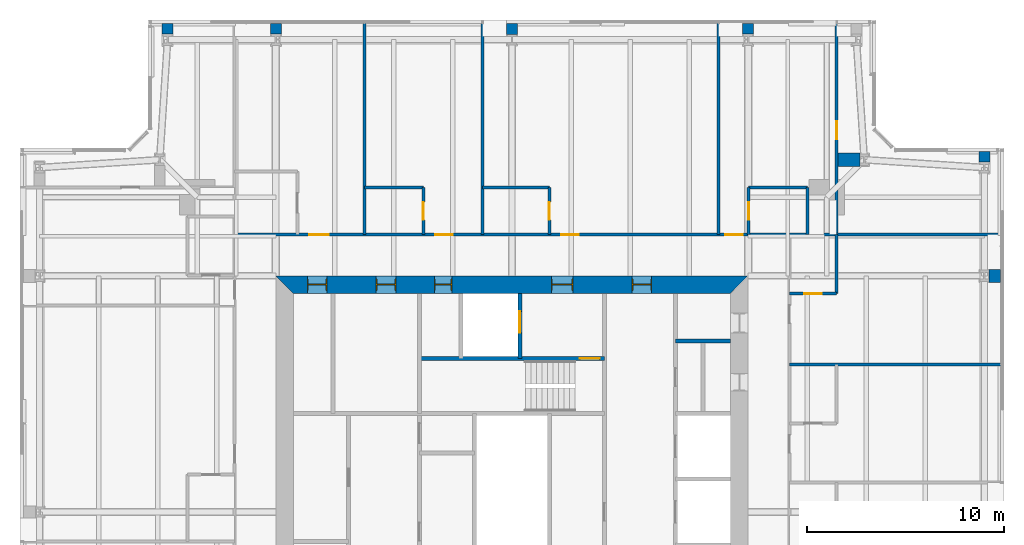
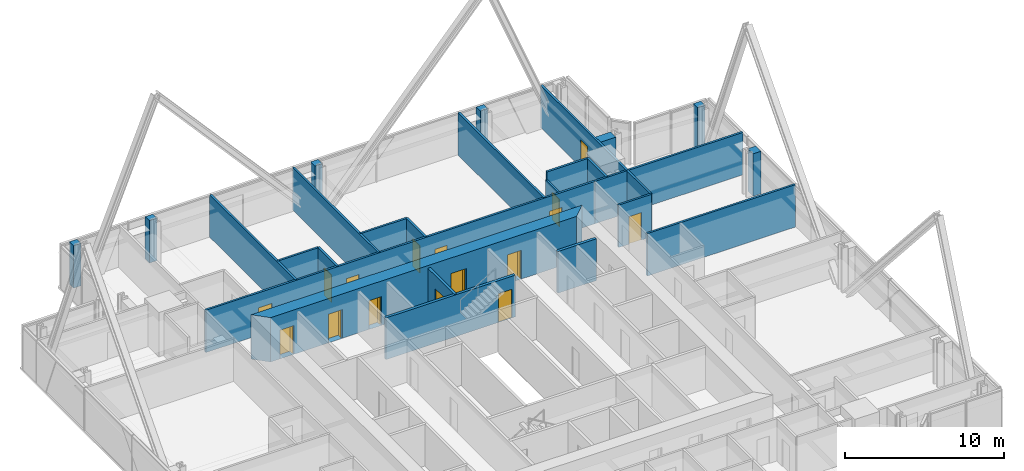
# One storey, part 14 of 20: 27 walls, 16 doors, 16 openings.
"""IFC4 building model written with IfcOpenShell, lengths in metres."""

from ifc_helpers import new_model, si_unit, direction, frame, frame_2d, origin, place, context, subcontext, project, spatial, polyline, rectangle, outline, extrude, material, layer, layer_set, type_object, element, fill, save


model = new_model("IFC4")

# Units and contexts
model_context = context("Model", 3, precision=1e-05, world=origin(), true_north=direction((0.0, 1.0)))
body_context = subcontext(model_context, "Body", "Model", "MODEL_VIEW")
ifc_project = project(units=[si_unit("LENGTHUNIT", "METRE"), si_unit("AREAUNIT", "SQUARE_METRE"), si_unit("VOLUMEUNIT", "CUBIC_METRE"), si_unit("PLANEANGLEUNIT", "RADIAN"), si_unit("MASSUNIT", "GRAM", prefix="KILO")], contexts=[model_context])

# Site, building, storey
site_placement = place(None, origin())
site = spatial("IfcSite", under=ifc_project, at=site_placement, CompositionType="ELEMENT")
building_placement = place(site_placement, origin())
building = spatial("IfcBuilding", under=site, at=building_placement, Name="Fenwick Lantern Interchange", CompositionType="ELEMENT")
storey_placement = place(building_placement, frame((0.0, 0.0, 256.0)))
storey = spatial("IfcBuildingStorey", under=building, at=storey_placement, Name="L60", CompositionType="ELEMENT", Elevation=256.0)

# Walls
ifc_material_1 = material(Name="Fire-rated gypsum board encasement on steel studs, 2 hour", Category="steel")
ifc_layer_1 = layer(ifc_material_1, 0.5419921875)
ifc_layer_set_1 = layer_set([ifc_layer_1], Name="COLUMN PIER 542")
wall_type_1 = type_object("IfcWallType", Name="COLUMN PIER 542", PredefinedType="PARTITIONING", material=ifc_layer_set_1)
wall_1_placement = place(storey_placement, frame((25.0, 49.81005859375, 0.0), z_axis=(0.0, 0.0, 1.0), x_axis=(0.0, -1.0, 0.0)))
element("IfcWall", 1, at=wall_1_placement, inside=storey, type_object=wall_type_1, Name="L60/W/PIER/CN3", PredefinedType="PARTITIONING", context=body_context, shape_type="SweptSolid", body=[
    extrude(rectangle(XDim=0.544677734375, YDim=0.5419921875, at=frame_2d((0.2724609375, 0.0))), origin(), (0.0, 0.0, 1.0), 3.25),
])
ifc_layer_2 = layer(ifc_material_1, 0.554931640625)
ifc_layer_set_2 = layer_set([ifc_layer_2], Name="COLUMN PIER 555")
wall_type_2 = type_object("IfcWallType", Name="COLUMN PIER 555", PredefinedType="PARTITIONING", material=ifc_layer_set_2)
for number, where, z_axis, x_axis, name in (
    (2, (49.0, 43.31005859375, 0.0), (0.0, 0.0, 1.0), (0.0, -1.0, 0.0), "L60/W/PIER/CE5"),
    (3, (37.0, 49.81005859375, 0.0), (0.0, 0.0, 1.0), (0.0, -1.0, 0.0), "L60/W/PIER/CN2"),
    (4, (13.0, 49.81005859375, 0.0), (0.0, 0.0, 1.0), (0.0, -1.0, 0.0), "L60/W/PIER/CN4"),
    (5, (7.5, 49.81005859375, 0.0), (0.0, 0.0, 1.0), (0.0, -1.0, 0.0), "L60/W/PIER/CN5"),
):
    element("IfcWall", number, at=place(storey_placement, frame(where, z_axis=z_axis, x_axis=x_axis)), inside=storey, type_object=wall_type_2, Name=name, PredefinedType="PARTITIONING", context=body_context, shape_type="SweptSolid", body=[
        extrude(rectangle(XDim=0.525634765625, YDim=0.554931640625, at=frame_2d((0.2626953125, 0.0))), origin(), (0.0, 0.0, 1.0), 3.25),
    ])
ifc_layer_3 = layer(ifc_material_1, 0.6689453125)
ifc_layer_set_3 = layer_set([ifc_layer_3], Name="COLUMN PIER 669")
wall_type_3 = type_object("IfcWallType", Name="COLUMN PIER 669", PredefinedType="PARTITIONING", material=ifc_layer_set_3)
wall_2_placement = place(storey_placement, frame((49.81005859375, 37.0, 0.0), z_axis=(0.0, 0.0, 1.0), x_axis=(-1.0, 0.0, 0.0)))
element("IfcWall", 6, at=wall_2_placement, inside=storey, type_object=wall_type_3, Name="L60/W/PIER/CE4", PredefinedType="PARTITIONING", context=body_context, shape_type="SweptSolid", body=[
    extrude(rectangle(XDim=0.582763671875, YDim=0.6689453125, at=frame_2d((0.29150390625, 0.0))), origin(), (0.0, 0.0, 1.0), 3.25),
])
wall_3_placement = place(storey_placement, frame((41.574951171875, 42.89990234375, 0.0), z_axis=(0.0, 0.0, 1.0), x_axis=(1.0, 0.0, 0.0)))
element("IfcWall", 7, at=wall_3_placement, inside=storey, type_object=wall_type_3, Name="L60/W/PIER/CER", PredefinedType="PARTITIONING", context=body_context, shape_type="SweptSolid", body=[
    extrude(rectangle(XDim=1.09765625, YDim=0.6689453125, at=frame_2d((0.548828125, 0.0))), origin(), (0.0, 0.0, 1.0), 3.25),
])

# Wall, opening, door
ifc_material_2 = material(Name="Concrete masonry ASTM C90 Grade N", Category="masonry")
ifc_layer_4 = layer(ifc_material_2, 0.199951171875)
ifc_layer_set_4 = layer_set([ifc_layer_4], Name="Concrete masonry ASTM C90 Grade N")
wall_type_4 = type_object("IfcWallType", Name="CORE PARTITION 200", PredefinedType="PARTITIONING", material=ifc_layer_set_4)
wall_4_placement = place(storey_placement, frame((25.39990234375, 36.10009765625, 0.0), z_axis=(0.0, 0.0, 1.0), x_axis=(0.0, -1.0, 0.0)))
wall_4 = element("IfcWall", 8, at=wall_4_placement, inside=storey, type_object=wall_type_4, Name="L60/W/COREN/h1", PredefinedType="PARTITIONING", context=body_context, shape_type="SweptSolid", body=[
    extrude(rectangle(XDim=3.300048828125, YDim=0.199951171875, at=frame_2d((1.64990234375, 0.0))), origin(), (0.0, 0.0, 1.0), 3.199951171875),
])
opening_1_placement = place(wall_4_placement, frame((0.89990234375, 0.0, 0.0)))
opening_1 = element("IfcOpeningElement", 9, at=opening_1_placement, cuts=wall_4, Name="Opening LD-FL2", PredefinedType="OPENING", context=body_context, shape_type="SweptSolid", body=[
    extrude(rectangle(XDim=1.10009765625, YDim=2.199951171875, at=frame_2d((0.550048828125, 1.10009765625))), frame((0.0, 0.10986328125, 0.0), z_axis=(0.0, -1.0, 0.0), x_axis=(1.0, 0.0, 0.0)), (0.0, 0.0, 1.0), 0.219970703125),
])
ifc_material_3 = material(Name="Steel door and frame", Category="steel")
door_type_1 = type_object("IfcDoorType", Name="LIFT LANDING DOOR 1100 X 2200", OperationType="DOUBLE_DOOR_SLIDING", PredefinedType="DOOR", material=ifc_material_3)
door_1_placement = place(opening_1_placement, origin())
door_1 = element("IfcDoor", 10, at=door_1_placement, inside=storey, type_object=door_type_1, Name="Lift landing door FL2", OperationType="DOUBLE_DOOR_SLIDING", OverallHeight=2.199951171875, OverallWidth=1.10009765625, PredefinedType="DOOR", context=body_context, shape_type="SweptSolid", body=[
    extrude(rectangle(XDim=1.10009765625, YDim=2.199951171875, at=frame_2d((0.550048828125, 1.10009765625))), frame((0.0, 0.02490234375, 0.0), z_axis=(0.0, -1.0, 0.0), x_axis=(1.0, 0.0, 0.0)), (0.0, 0.0, 1.0), 0.050048828125),
])
fill(opening_1, door_1)

# Wall
wall_5_placement = place(storey_placement, frame((36.10009765625, 33.699951171875, 0.0), z_axis=(0.0, 0.0, 1.0), x_axis=(-1.0, 0.0, 0.0)))
element("IfcWall", 11, at=wall_5_placement, inside=storey, type_object=wall_type_4, Name="L60/W/COREN/p1", PredefinedType="PARTITIONING", context=body_context, shape_type="SweptSolid", body=[
    extrude(rectangle(XDim=2.800048828125, YDim=0.199951171875, at=frame_2d((1.39990234375, 0.0))), origin(), (0.0, 0.0, 1.0), 3.199951171875),
])

# Wall, openings, doors
ifc_material_4 = material(Name="Concrete f'c 70 MPa", Category="concrete")
ifc_layer_5 = layer(ifc_material_4, 0.89990234375)
ifc_layer_set_5 = layer_set([ifc_layer_5], Name="CORE WALL 900")
wall_type_5 = type_object("IfcWallType", Name="CORE WALL 900", PredefinedType="SHEAR", material=ifc_layer_set_5)
wall_6_placement = place(storey_placement, frame((37.0, 36.550048828125, 0.0), z_axis=(0.0, 0.0, 1.0), x_axis=(-1.0, 0.0, 0.0)))
wall_6 = element("IfcWall", 12, at=wall_6_placement, inside=storey, type_object=wall_type_5, Name="L60/CORE/N", PredefinedType="SHEAR", context=body_context, shape_type="SweptSolid", body=[
    extrude(outline(polyline([(0.0, -0.449951171875), (24.0, -0.449951171875), (23.10009765625, 0.449951171875), (0.89990234375, 0.449951171875), (0.0, -0.449951171875)])), origin(), (0.0, 0.0, 1.0), 3.39990234375),
])
opening_2_placement = place(wall_6_placement, frame((4.89990234375, 0.0, 0.0)))
opening_2 = element("IfcOpeningElement", 13, at=opening_2_placement, cuts=wall_6, Name="Opening L60-D013", PredefinedType="OPENING", context=body_context, shape_type="SweptSolid", body=[
    extrude(rectangle(XDim=1.0, YDim=2.199951171875, at=frame_2d((0.5, 1.10009765625))), frame((0.0, 0.4599609375, 0.0), z_axis=(0.0, -1.0, 0.0), x_axis=(1.0, 0.0, 0.0)), (0.0, 0.0, 1.0), 0.919921875),
])
opening_3_placement = place(wall_6_placement, frame((8.89990234375, 0.0, 0.0)))
opening_3 = element("IfcOpeningElement", 14, at=opening_3_placement, cuts=wall_6, Name="Opening L60-D014", PredefinedType="OPENING", context=body_context, shape_type="SweptSolid", body=[
    extrude(rectangle(XDim=1.10009765625, YDim=2.199951171875, at=frame_2d((0.550048828125, 1.10009765625))), frame((0.0, 0.4599609375, 0.0), z_axis=(0.0, -1.0, 0.0), x_axis=(1.0, 0.0, 0.0)), (0.0, 0.0, 1.0), 0.919921875),
])
opening_4_placement = place(wall_6_placement, frame((15.050048828125, 0.0, 0.0)))
opening_4 = element("IfcOpeningElement", 15, at=opening_4_placement, cuts=wall_6, Name="Opening L60-D016", PredefinedType="OPENING", context=body_context, shape_type="SweptSolid", body=[
    extrude(rectangle(XDim=0.89990234375, YDim=2.199951171875, at=frame_2d((0.449951171875, 1.10009765625))), frame((0.0, 0.4599609375, 0.0), z_axis=(0.0, -1.0, 0.0), x_axis=(1.0, 0.0, 0.0)), (0.0, 0.0, 1.0), 0.919921875),
])
opening_5_placement = place(wall_6_placement, frame((17.89990234375, 0.0, 0.0)))
opening_5 = element("IfcOpeningElement", 16, at=opening_5_placement, cuts=wall_6, Name="Opening L60-D017", PredefinedType="OPENING", context=body_context, shape_type="SweptSolid", body=[
    extrude(rectangle(XDim=1.0, YDim=2.199951171875, at=frame_2d((0.5, 1.10009765625))), frame((0.0, 0.4599609375, 0.0), z_axis=(0.0, -1.0, 0.0), x_axis=(1.0, 0.0, 0.0)), (0.0, 0.0, 1.0), 0.919921875),
])
opening_6_placement = place(wall_6_placement, frame((21.39990234375, 0.0, 0.0)))
opening_6 = element("IfcOpeningElement", 17, at=opening_6_placement, cuts=wall_6, Name="Opening L60-D018", PredefinedType="OPENING", context=body_context, shape_type="SweptSolid", body=[
    extrude(rectangle(XDim=1.0, YDim=2.199951171875, at=frame_2d((0.5, 1.10009765625))), frame((0.0, 0.4599609375, 0.0), z_axis=(0.0, -1.0, 0.0), x_axis=(1.0, 0.0, 0.0)), (0.0, 0.0, 1.0), 0.919921875),
])
door_type_2 = type_object("IfcDoorType", Name="CORE LOBBY DOOR 1000 X 2200", OperationType="SINGLE_SWING_LEFT", PredefinedType="DOOR", material=ifc_material_3)
door_2_placement = place(opening_2_placement, origin())
door_2 = element("IfcDoor", 18, at=door_2_placement, inside=storey, type_object=door_type_2, Name="Core lobby door", OperationType="SINGLE_SWING_LEFT", OverallHeight=2.199951171875, OverallWidth=1.0, PredefinedType="DOOR", context=body_context, shape_type="SweptSolid", body=[
    extrude(rectangle(XDim=1.0, YDim=2.199951171875, at=frame_2d((0.5, 1.10009765625))), frame((0.0, 0.02490234375, 0.0), z_axis=(0.0, -1.0, 0.0), x_axis=(1.0, 0.0, 0.0)), (0.0, 0.0, 1.0), 0.050048828125),
    extrude(outline(polyline([(0.0, 0.0), (0.0400390625, 0.0), (0.0400390625, 2.159912109375), (0.9599609375, 2.159912109375), (0.9599609375, 0.0), (1.0, 0.0), (1.0, 2.199951171875), (0.0, 2.199951171875), (0.0, 0.0)])), frame((0.0, 0.300048828125, 0.0), z_axis=(0.0, -1.0, 0.0), x_axis=(1.0, 0.0, 0.0)), (0.0, 0.0, 1.0), 0.60009765625),
])
fill(opening_2, door_2)
door_type_3 = type_object("IfcDoorType", Name="FIRE LOBBY DOOR 1100 X 2200", OperationType="SINGLE_SWING_LEFT", PredefinedType="DOOR", material=ifc_material_3)
door_3_placement = place(opening_3_placement, origin())
door_3 = element("IfcDoor", 19, at=door_3_placement, inside=storey, type_object=door_type_3, Name="Fire lobby door", OperationType="SINGLE_SWING_LEFT", OverallHeight=2.199951171875, OverallWidth=1.10009765625, PredefinedType="DOOR", context=body_context, shape_type="SweptSolid", body=[
    extrude(rectangle(XDim=1.10009765625, YDim=2.199951171875, at=frame_2d((0.550048828125, 1.10009765625))), frame((0.0, 0.02490234375, 0.0), z_axis=(0.0, -1.0, 0.0), x_axis=(1.0, 0.0, 0.0)), (0.0, 0.0, 1.0), 0.050048828125),
    extrude(outline(polyline([(0.0, 0.0), (0.0400390625, 0.0), (0.0400390625, 2.159912109375), (1.06005859375, 2.159912109375), (1.06005859375, 0.0), (1.10009765625, 0.0), (1.10009765625, 2.199951171875), (0.0, 2.199951171875), (0.0, 0.0)])), frame((0.0, 0.300048828125, 0.0), z_axis=(0.0, -1.0, 0.0), x_axis=(1.0, 0.0, 0.0)), (0.0, 0.0, 1.0), 0.60009765625),
])
fill(opening_3, door_3)
door_type_4 = type_object("IfcDoorType", Name="SERVICE DOOR 900 X 2200", OperationType="SINGLE_SWING_LEFT", PredefinedType="DOOR", material=ifc_material_3)
door_4_placement = place(opening_4_placement, origin())
door_4 = element("IfcDoor", 20, at=door_4_placement, inside=storey, type_object=door_type_4, Name="Service door", OperationType="SINGLE_SWING_LEFT", OverallHeight=2.199951171875, OverallWidth=0.89990234375, PredefinedType="DOOR", context=body_context, shape_type="SweptSolid", body=[
    extrude(rectangle(XDim=0.89990234375, YDim=2.199951171875, at=frame_2d((0.449951171875, 1.10009765625))), frame((0.0, 0.02490234375, 0.0), z_axis=(0.0, -1.0, 0.0), x_axis=(1.0, 0.0, 0.0)), (0.0, 0.0, 1.0), 0.050048828125),
    extrude(outline(polyline([(0.0, 0.0), (0.0400390625, 0.0), (0.0400390625, 2.159912109375), (0.85986328125, 2.159912109375), (0.85986328125, 0.0), (0.89990234375, 0.0), (0.89990234375, 2.199951171875), (0.0, 2.199951171875), (0.0, 0.0)])), frame((0.0, 0.300048828125, 0.0), z_axis=(0.0, -1.0, 0.0), x_axis=(1.0, 0.0, 0.0)), (0.0, 0.0, 1.0), 0.60009765625),
])
fill(opening_4, door_4)
ifc_material_5 = material(Name="Hardwood door and steel frame", Category="steel")
door_type_5 = type_object("IfcDoorType", Name="WC DOOR 1000 X 2200", OperationType="SINGLE_SWING_LEFT", PredefinedType="DOOR", material=ifc_material_5)
door_5_placement = place(opening_5_placement, origin())
door_5 = element("IfcDoor", 21, at=door_5_placement, inside=storey, type_object=door_type_5, Name="Wc door", OperationType="SINGLE_SWING_LEFT", OverallHeight=2.199951171875, OverallWidth=1.0, PredefinedType="DOOR", context=body_context, shape_type="SweptSolid", body=[
    extrude(rectangle(XDim=1.0, YDim=2.199951171875, at=frame_2d((0.5, 1.10009765625))), frame((0.0, 0.02490234375, 0.0), z_axis=(0.0, -1.0, 0.0), x_axis=(1.0, 0.0, 0.0)), (0.0, 0.0, 1.0), 0.050048828125),
    extrude(outline(polyline([(0.0, 0.0), (0.0400390625, 0.0), (0.0400390625, 2.159912109375), (0.9599609375, 2.159912109375), (0.9599609375, 0.0), (1.0, 0.0), (1.0, 2.199951171875), (0.0, 2.199951171875), (0.0, 0.0)])), frame((0.0, 0.300048828125, 0.0), z_axis=(0.0, -1.0, 0.0), x_axis=(1.0, 0.0, 0.0)), (0.0, 0.0, 1.0), 0.60009765625),
])
fill(opening_5, door_5)
door_6_placement = place(opening_6_placement, origin())
door_6 = element("IfcDoor", 22, at=door_6_placement, inside=storey, type_object=door_type_5, Name="Wc door", OperationType="SINGLE_SWING_LEFT", OverallHeight=2.199951171875, OverallWidth=1.0, PredefinedType="DOOR", context=body_context, shape_type="SweptSolid", body=[
    extrude(rectangle(XDim=1.0, YDim=2.199951171875, at=frame_2d((0.5, 1.10009765625))), frame((0.0, 0.02490234375, 0.0), z_axis=(0.0, -1.0, 0.0), x_axis=(1.0, 0.0, 0.0)), (0.0, 0.0, 1.0), 0.050048828125),
    extrude(outline(polyline([(0.0, 0.0), (0.0400390625, 0.0), (0.0400390625, 2.159912109375), (0.9599609375, 2.159912109375), (0.9599609375, 0.0), (1.0, 0.0), (1.0, 2.199951171875), (0.0, 2.199951171875), (0.0, 0.0)])), frame((0.0, 0.300048828125, 0.0), z_axis=(0.0, -1.0, 0.0), x_axis=(1.0, 0.0, 0.0)), (0.0, 0.0, 1.0), 0.60009765625),
])
fill(opening_6, door_6)

ifc_material_6 = material(Name="Gypsum board on steel studs, 1 hour", Category="steel")
ifc_layer_6 = layer(ifc_material_6, 0.14990234375)
ifc_layer_set_6 = layer_set([ifc_layer_6], Name="CORRIDOR WALL 150")
wall_type_6 = type_object("IfcWallType", Name="CORRIDOR WALL 150", PredefinedType="PARTITIONING", material=ifc_layer_set_6)
wall_7_placement = place(storey_placement, frame((39.10009765625, 39.10009765625, 0.0), z_axis=(0.0, 0.0, 1.0), x_axis=(-1.0, 0.0, 0.0)))
wall_7 = element("IfcWall", 23, at=wall_7_placement, inside=storey, type_object=wall_type_6, Name="L60/W/HOTEL/N/CW", PredefinedType="PARTITIONING", context=body_context, shape_type="SweptSolid", body=[
    extrude(rectangle(XDim=28.2001953125, YDim=0.14990234375, at=frame_2d((14.10009765625, 0.0))), origin(), (0.0, 0.0, 1.0), 3.25),
])
opening_7_placement = place(wall_7_placement, frame((2.375, 0.0, 0.0)))
opening_7 = element("IfcOpeningElement", 24, at=opening_7_placement, cuts=wall_7, Name="Opening L60-D043", PredefinedType="OPENING", context=body_context, shape_type="SweptSolid", body=[
    extrude(rectangle(XDim=0.89990234375, YDim=2.10009765625, at=frame_2d((0.449951171875, 1.050048828125))), frame((0.0, 0.0849609375, 0.0), z_axis=(0.0, -1.0, 0.0), x_axis=(1.0, 0.0, 0.0)), (0.0, 0.0, 1.0), 0.169921875),
])
opening_8_placement = place(wall_7_placement, frame((10.699951171875, 0.0, 0.0)))
opening_8 = element("IfcOpeningElement", 25, at=opening_8_placement, cuts=wall_7, Name="Opening L60-D045", PredefinedType="OPENING", context=body_context, shape_type="SweptSolid", body=[
    extrude(rectangle(XDim=0.89990234375, YDim=2.10009765625, at=frame_2d((0.449951171875, 1.050048828125))), frame((0.0, 0.0849609375, 0.0), z_axis=(0.0, -1.0, 0.0), x_axis=(1.0, 0.0, 0.0)), (0.0, 0.0, 1.0), 0.169921875),
])
opening_9_placement = place(wall_7_placement, frame((17.10009765625, 0.0, 0.0)))
opening_9 = element("IfcOpeningElement", 26, at=opening_9_placement, cuts=wall_7, Name="Opening L60-D047", PredefinedType="OPENING", context=body_context, shape_type="SweptSolid", body=[
    extrude(rectangle(XDim=0.89990234375, YDim=2.10009765625, at=frame_2d((0.449951171875, 1.050048828125))), frame((0.0, 0.0849609375, 0.0), z_axis=(0.0, -1.0, 0.0), x_axis=(1.0, 0.0, 0.0)), (0.0, 0.0, 1.0), 0.169921875),
])
opening_10_placement = place(wall_7_placement, frame((23.39990234375, 0.0, 0.0)))
opening_10 = element("IfcOpeningElement", 27, at=opening_10_placement, cuts=wall_7, Name="Opening L60-D049", PredefinedType="OPENING", context=body_context, shape_type="SweptSolid", body=[
    extrude(rectangle(XDim=1.0, YDim=2.10009765625, at=frame_2d((0.5, 1.050048828125))), frame((0.0, 0.0849609375, 0.0), z_axis=(0.0, -1.0, 0.0), x_axis=(1.0, 0.0, 0.0)), (0.0, 0.0, 1.0), 0.169921875),
])
door_type_6 = type_object("IfcDoorType", Name="GUEST ROOM DOOR 1000 X 2100", OperationType="SINGLE_SWING_LEFT", PredefinedType="DOOR", material=ifc_material_3)
door_7_placement = place(opening_10_placement, frame((1.0, 0.0, 0.0), z_axis=(0.0, 0.0, 1.0), x_axis=(-1.0, 0.0, 0.0)))
door_7 = element("IfcDoor", 28, at=door_7_placement, inside=storey, type_object=door_type_6, Name="Guest room door", OperationType="SINGLE_SWING_LEFT", OverallHeight=2.10009765625, OverallWidth=1.0, PredefinedType="DOOR", context=body_context, shape_type="SweptSolid", body=[
    extrude(rectangle(XDim=1.0, YDim=2.10009765625, at=frame_2d((0.5, 1.050048828125))), frame((0.0, 0.02490234375, 0.0), z_axis=(0.0, -1.0, 0.0), x_axis=(1.0, 0.0, 0.0)), (0.0, 0.0, 1.0), 0.050048828125),
])
fill(opening_10, door_7)
door_type_7 = type_object("IfcDoorType", Name="GUEST ROOM DOOR 900 X 2100", OperationType="SINGLE_SWING_LEFT", PredefinedType="DOOR", material=ifc_material_3)
door_8_placement = place(opening_7_placement, frame((0.89990234375, 0.0, 0.0), z_axis=(0.0, 0.0, 1.0), x_axis=(-1.0, 0.0, 0.0)))
door_8 = element("IfcDoor", 29, at=door_8_placement, inside=storey, type_object=door_type_7, Name="Guest room door", OperationType="SINGLE_SWING_RIGHT", OverallHeight=2.10009765625, OverallWidth=0.89990234375, PredefinedType="DOOR", context=body_context, shape_type="SweptSolid", body=[
    extrude(rectangle(XDim=0.89990234375, YDim=2.10009765625, at=frame_2d((0.449951171875, 1.050048828125))), frame((0.0, 0.02490234375, 0.0), z_axis=(0.0, -1.0, 0.0), x_axis=(1.0, 0.0, 0.0)), (0.0, 0.0, 1.0), 0.050048828125),
])
fill(opening_7, door_8)
door_9_placement = place(opening_8_placement, frame((0.89990234375, 0.0, 0.0), z_axis=(0.0, 0.0, 1.0), x_axis=(-1.0, 0.0, 0.0)))
door_9 = element("IfcDoor", 30, at=door_9_placement, inside=storey, type_object=door_type_7, Name="Guest room door", OperationType="SINGLE_SWING_LEFT", OverallHeight=2.10009765625, OverallWidth=0.89990234375, PredefinedType="DOOR", context=body_context, shape_type="SweptSolid", body=[
    extrude(rectangle(XDim=0.89990234375, YDim=2.10009765625, at=frame_2d((0.449951171875, 1.050048828125))), frame((0.0, 0.02490234375, 0.0), z_axis=(0.0, -1.0, 0.0), x_axis=(1.0, 0.0, 0.0)), (0.0, 0.0, 1.0), 0.050048828125),
])
fill(opening_8, door_9)
door_10_placement = place(opening_9_placement, frame((0.89990234375, 0.0, 0.0), z_axis=(0.0, 0.0, 1.0), x_axis=(-1.0, 0.0, 0.0)))
door_10 = element("IfcDoor", 31, at=door_10_placement, inside=storey, type_object=door_type_7, Name="Guest room door", OperationType="SINGLE_SWING_LEFT", OverallHeight=2.10009765625, OverallWidth=0.89990234375, PredefinedType="DOOR", context=body_context, shape_type="SweptSolid", body=[
    extrude(rectangle(XDim=0.89990234375, YDim=2.10009765625, at=frame_2d((0.449951171875, 1.050048828125))), frame((0.0, 0.02490234375, 0.0), z_axis=(0.0, -1.0, 0.0), x_axis=(1.0, 0.0, 0.0)), (0.0, 0.0, 1.0), 0.050048828125),
])
fill(opening_9, door_10)

# Wall
ifc_material_7 = material(Name="Gypsum board on steel studs, moisture resistant", Category="steel")
ifc_layer_7 = layer(ifc_material_7, 0.14990234375)
ifc_layer_set_7 = layer_set([ifc_layer_7], Name="EN-SUITE WALL 150")
wall_type_7 = type_object("IfcWallType", Name="EN-SUITE WALL 150", PredefinedType="PARTITIONING", material=ifc_layer_set_7)
wall_8_placement = place(storey_placement, frame((41.5, 36.10009765625, 0.0), z_axis=(0.0, 0.0, 1.0), x_axis=(0.0, 1.0, 0.0)))
element("IfcWall", 32, at=wall_8_placement, inside=storey, type_object=wall_type_7, Name="L60/W/HOTEL/E/U4BW", PredefinedType="PARTITIONING", context=body_context, shape_type="SweptSolid", body=[
    extrude(rectangle(XDim=3.0, YDim=0.14990234375, at=frame_2d((1.5, 0.0))), origin(), (0.0, 0.0, 1.0), 3.25),
])

# Wall, opening, door
wall_9_placement = place(storey_placement, frame((41.5, 36.10009765625, 0.0), z_axis=(0.0, 0.0, 1.0), x_axis=(-1.0, 0.0, 0.0)))
wall_9 = element("IfcWall", 33, at=wall_9_placement, inside=storey, type_object=wall_type_7, Name="L60/W/HOTEL/E/U4BX", PredefinedType="PARTITIONING", context=body_context, shape_type="SweptSolid", body=[
    extrude(rectangle(XDim=2.39990234375, YDim=0.14990234375, at=frame_2d((1.199951171875, 0.0))), origin(), (0.0, 0.0, 1.0), 3.25),
])
opening_11_placement = place(wall_9_placement, frame((0.75, 0.0, 0.0)))
opening_11 = element("IfcOpeningElement", 34, at=opening_11_placement, cuts=wall_9, Name="Opening L60-D039", PredefinedType="OPENING", context=body_context, shape_type="SweptSolid", body=[
    extrude(rectangle(XDim=0.89990234375, YDim=2.10009765625, at=frame_2d((0.449951171875, 1.050048828125))), frame((0.0, 0.0849609375, 0.0), z_axis=(0.0, -1.0, 0.0), x_axis=(1.0, 0.0, 0.0)), (0.0, 0.0, 1.0), 0.169921875),
])
door_type_8 = type_object("IfcDoorType", Name="EN-SUITE DOOR 900 X 2100", OperationType="SINGLE_SWING_LEFT", PredefinedType="DOOR", material=ifc_material_5)
door_11_placement = place(opening_11_placement, frame((0.89990234375, 0.0, 0.0), z_axis=(0.0, 0.0, 1.0), x_axis=(-1.0, 0.0, 0.0)))
door_11 = element("IfcDoor", 35, at=door_11_placement, inside=storey, type_object=door_type_8, Name="En-suite door", OperationType="SINGLE_SWING_RIGHT", OverallHeight=2.10009765625, OverallWidth=0.89990234375, PredefinedType="DOOR", context=body_context, shape_type="SweptSolid", body=[
    extrude(rectangle(XDim=0.89990234375, YDim=2.10009765625, at=frame_2d((0.449951171875, 1.050048828125))), frame((0.0, 0.02490234375, 0.0), z_axis=(0.0, -1.0, 0.0), x_axis=(1.0, 0.0, 0.0)), (0.0, 0.0, 1.0), 0.050048828125),
])
fill(opening_11, door_11)

# Wall
wall_10_placement = place(storey_placement, frame((40.02490234375, 41.5, 0.0), z_axis=(0.0, 0.0, 1.0), x_axis=(-1.0, 0.0, 0.0)))
element("IfcWall", 36, at=wall_10_placement, inside=storey, type_object=wall_type_7, Name="L60/W/HOTEL/N/U1BW", PredefinedType="PARTITIONING", context=body_context, shape_type="SweptSolid", body=[
    extrude(rectangle(XDim=3.0, YDim=0.14990234375, at=frame_2d((1.5, 0.0))), origin(), (0.0, 0.0, 1.0), 3.25),
])

# Wall, opening, door
wall_11_placement = place(storey_placement, frame((37.02490234375, 41.5, 0.0), z_axis=(0.0, 0.0, 1.0), x_axis=(0.0, -1.0, 0.0)))
wall_11 = element("IfcWall", 37, at=wall_11_placement, inside=storey, type_object=wall_type_7, Name="L60/W/HOTEL/N/U1BX", PredefinedType="PARTITIONING", context=body_context, shape_type="SweptSolid", body=[
    extrude(rectangle(XDim=2.39990234375, YDim=0.14990234375, at=frame_2d((1.199951171875, 0.0))), origin(), (0.0, 0.0, 1.0), 2.627685546875),
])
opening_12_placement = place(wall_11_placement, frame((0.75, 0.0, 0.0)))
opening_12 = element("IfcOpeningElement", 38, at=opening_12_placement, cuts=wall_11, Name="Opening L60-D041", PredefinedType="OPENING", context=body_context, shape_type="SweptSolid", body=[
    extrude(rectangle(XDim=0.89990234375, YDim=2.10009765625, at=frame_2d((0.449951171875, 1.050048828125))), frame((0.0, 0.0849609375, 0.0), z_axis=(0.0, -1.0, 0.0), x_axis=(1.0, 0.0, 0.0)), (0.0, 0.0, 1.0), 0.169921875),
])
door_12_placement = place(opening_12_placement, origin())
door_12 = element("IfcDoor", 39, at=door_12_placement, inside=storey, type_object=door_type_8, Name="En-suite door", OperationType="SINGLE_SWING_LEFT", OverallHeight=2.10009765625, OverallWidth=0.89990234375, PredefinedType="DOOR", context=body_context, shape_type="SweptSolid", body=[
    extrude(rectangle(XDim=0.89990234375, YDim=2.10009765625, at=frame_2d((0.449951171875, 1.050048828125))), frame((0.0, 0.02490234375, 0.0), z_axis=(0.0, -1.0, 0.0), x_axis=(1.0, 0.0, 0.0)), (0.0, 0.0, 1.0), 0.050048828125),
])
fill(opening_12, door_12)

# Walls
wall_12_placement = place(storey_placement, frame((40.02490234375, 41.5, 0.0), z_axis=(0.0, 0.0, 1.0), x_axis=(0.0, -1.0, 0.0)))
element("IfcWall", 40, at=wall_12_placement, inside=storey, type_object=wall_type_7, Name="L60/W/HOTEL/N/U1BV", PredefinedType="PARTITIONING", context=body_context, shape_type="SweptSolid", body=[
    extrude(rectangle(XDim=2.39990234375, YDim=0.14990234375, at=frame_2d((1.199951171875, 0.0))), origin(), (0.0, 0.0, 1.0), 3.25),
])
wall_13_placement = place(storey_placement, frame((26.89990234375, 41.5, 0.0), z_axis=(0.0, 0.0, 1.0), x_axis=(-1.0, 0.0, 0.0)))
element("IfcWall", 41, at=wall_13_placement, inside=storey, type_object=wall_type_7, Name="L60/W/HOTEL/N/U2BW", PredefinedType="PARTITIONING", context=body_context, shape_type="SweptSolid", body=[
    extrude(rectangle(XDim=3.39990234375, YDim=0.14990234375, at=frame_2d((1.699951171875, 0.0))), origin(), (0.0, 0.0, 1.0), 3.25),
])

# Wall, opening, door
wall_14_placement = place(storey_placement, frame((26.89990234375, 41.5, 0.0), z_axis=(0.0, 0.0, 1.0), x_axis=(0.0, -1.0, 0.0)))
wall_14 = element("IfcWall", 42, at=wall_14_placement, inside=storey, type_object=wall_type_7, Name="L60/W/HOTEL/N/U2BX", PredefinedType="PARTITIONING", context=body_context, shape_type="SweptSolid", body=[
    extrude(rectangle(XDim=2.39990234375, YDim=0.14990234375, at=frame_2d((1.199951171875, 0.0))), origin(), (0.0, 0.0, 1.0), 3.25),
])
opening_13_placement = place(wall_14_placement, frame((0.75, 0.0, 0.0)))
opening_13 = element("IfcOpeningElement", 43, at=opening_13_placement, cuts=wall_14, Name="Opening L60-D044", PredefinedType="OPENING", context=body_context, shape_type="SweptSolid", body=[
    extrude(rectangle(XDim=0.89990234375, YDim=2.10009765625, at=frame_2d((0.449951171875, 1.050048828125))), frame((0.0, 0.0849609375, 0.0), z_axis=(0.0, -1.0, 0.0), x_axis=(1.0, 0.0, 0.0)), (0.0, 0.0, 1.0), 0.169921875),
])
door_13_placement = place(opening_13_placement, frame((0.89990234375, 0.0, 0.0), z_axis=(0.0, 0.0, 1.0), x_axis=(-1.0, 0.0, 0.0)))
door_13 = element("IfcDoor", 44, at=door_13_placement, inside=storey, type_object=door_type_8, Name="En-suite door", OperationType="SINGLE_SWING_RIGHT", OverallHeight=2.10009765625, OverallWidth=0.89990234375, PredefinedType="DOOR", context=body_context, shape_type="SweptSolid", body=[
    extrude(rectangle(XDim=0.89990234375, YDim=2.10009765625, at=frame_2d((0.449951171875, 1.050048828125))), frame((0.0, 0.02490234375, 0.0), z_axis=(0.0, -1.0, 0.0), x_axis=(1.0, 0.0, 0.0)), (0.0, 0.0, 1.0), 0.050048828125),
])
fill(opening_13, door_13)

# Wall
wall_15_placement = place(storey_placement, frame((20.5, 41.5, 0.0), z_axis=(0.0, 0.0, 1.0), x_axis=(-1.0, 0.0, 0.0)))
element("IfcWall", 45, at=wall_15_placement, inside=storey, type_object=wall_type_7, Name="L60/W/HOTEL/N/U3BW", PredefinedType="PARTITIONING", context=body_context, shape_type="SweptSolid", body=[
    extrude(rectangle(XDim=3.0, YDim=0.14990234375, at=frame_2d((1.5, 0.0))), origin(), (0.0, 0.0, 1.0), 3.25),
])

# Wall, opening, door
wall_16_placement = place(storey_placement, frame((20.5, 41.5, 0.0), z_axis=(0.0, 0.0, 1.0), x_axis=(0.0, -1.0, 0.0)))
wall_16 = element("IfcWall", 46, at=wall_16_placement, inside=storey, type_object=wall_type_7, Name="L60/W/HOTEL/N/U3BX", PredefinedType="PARTITIONING", context=body_context, shape_type="SweptSolid", body=[
    extrude(rectangle(XDim=2.39990234375, YDim=0.14990234375, at=frame_2d((1.199951171875, 0.0))), origin(), (0.0, 0.0, 1.0), 3.25),
])
opening_14_placement = place(wall_16_placement, frame((0.75, 0.0, 0.0)))
opening_14 = element("IfcOpeningElement", 47, at=opening_14_placement, cuts=wall_16, Name="Opening L60-D046", PredefinedType="OPENING", context=body_context, shape_type="SweptSolid", body=[
    extrude(rectangle(XDim=0.89990234375, YDim=2.10009765625, at=frame_2d((0.449951171875, 1.050048828125))), frame((0.0, 0.0849609375, 0.0), z_axis=(0.0, -1.0, 0.0), x_axis=(1.0, 0.0, 0.0)), (0.0, 0.0, 1.0), 0.169921875),
])
door_14_placement = place(opening_14_placement, frame((0.89990234375, 0.0, 0.0), z_axis=(0.0, 0.0, 1.0), x_axis=(-1.0, 0.0, 0.0)))
door_14 = element("IfcDoor", 48, at=door_14_placement, inside=storey, type_object=door_type_8, Name="En-suite door", OperationType="SINGLE_SWING_RIGHT", OverallHeight=2.10009765625, OverallWidth=0.89990234375, PredefinedType="DOOR", context=body_context, shape_type="SweptSolid", body=[
    extrude(rectangle(XDim=0.89990234375, YDim=2.10009765625, at=frame_2d((0.449951171875, 1.050048828125))), frame((0.0, 0.02490234375, 0.0), z_axis=(0.0, -1.0, 0.0), x_axis=(1.0, 0.0, 0.0)), (0.0, 0.0, 1.0), 0.050048828125),
])
fill(opening_14, door_14)

# Walls
ifc_material_8 = material(Name="Gypsum board on steel studs, 1 hour acoustic", Category="steel")
ifc_layer_8 = layer(ifc_material_8, 0.14990234375)
ifc_layer_set_8 = layer_set([ifc_layer_8], Name="PARTY WALL 150")
wall_type_8 = type_object("IfcWallType", Name="PARTY WALL 150", PredefinedType="PARTITIONING", material=ifc_layer_set_8)
for number, where, z_axis, x_axis, name in (
    (49, (49.85009765625, 32.5, 0.0), (0.0, 0.0, 1.0), (-1.0, 0.0, 0.0), "L60/W/HOTEL/E/U4PW"),
    (50, (49.85009765625, 39.10009765625, 0.0), (0.0, 0.0, 1.0), (-1.0, 0.0, 0.0), "L60/W/HOTEL/N/SW3"),
    (51, (35.5, 49.85009765625, 0.0), (0.0, 0.0, 1.0), (0.0, -1.0, 0.0), "L60/W/HOTEL/N/U2PW"),
    (52, (23.5, 49.85009765625, 0.0), (0.0, 0.0, 1.0), (0.0, -1.0, 0.0), "L60/W/HOTEL/N/U3PW"),
    (53, (17.5, 49.85009765625, 0.0), (0.0, 0.0, 1.0), (0.0, -1.0, 0.0), "L60/W/HOTEL/N/U4PW"),
):
    element("IfcWall", number, at=place(storey_placement, frame(where, z_axis=z_axis, x_axis=x_axis)), inside=storey, type_object=wall_type_8, Name=name, PredefinedType="PARTITIONING", context=body_context, shape_type="SweptSolid", body=[
        extrude(rectangle(XDim=10.75, YDim=0.14990234375, at=frame_2d((5.375, 0.0))), origin(), (0.0, 0.0, 1.0), 3.25),
    ])

# Wall, opening, door
ifc_material_9 = material(Name="Concrete f'c 45 MPa", Category="concrete")
ifc_layer_9 = layer(ifc_material_9, 0.199951171875)
ifc_layer_set_9 = layer_set([ifc_layer_9], Name="STAIR CORE WALL 200")
wall_type_9 = type_object("IfcWallType", Name="STAIR CORE WALL 200", PredefinedType="SOLIDWALL", material=ifc_layer_set_9)
wall_17_placement = place(storey_placement, frame((29.699951171875, 32.800048828125, 0.0), z_axis=(0.0, 0.0, 1.0), x_axis=(-1.0, 0.0, 0.0)))
wall_17 = element("IfcWall", 54, at=wall_17_placement, inside=storey, type_object=wall_type_9, Name="L60/W/COREN/g1", PredefinedType="SOLIDWALL", context=body_context, shape_type="SweptSolid", body=[
    extrude(rectangle(XDim=9.39990234375, YDim=0.199951171875, at=frame_2d((4.699951171875, 0.0))), origin(), (0.0, 0.0, 1.0), 3.199951171875),
])
opening_15_placement = place(wall_17_placement, frame((0.25, 0.0, 0.0)))
opening_15 = element("IfcOpeningElement", 55, at=opening_15_placement, cuts=wall_17, Name="Opening L60-D015", PredefinedType="OPENING", context=body_context, shape_type="SweptSolid", body=[
    extrude(rectangle(XDim=1.0, YDim=2.199951171875, at=frame_2d((0.5, 1.10009765625))), frame((0.0, 0.10986328125, 0.0), z_axis=(0.0, -1.0, 0.0), x_axis=(1.0, 0.0, 0.0)), (0.0, 0.0, 1.0), 0.219970703125),
])
door_type_9 = type_object("IfcDoorType", Name="STAIR DOOR 1000 X 2200", OperationType="SINGLE_SWING_LEFT", PredefinedType="DOOR", material=ifc_material_3)
door_15_placement = place(opening_15_placement, origin())
door_15 = element("IfcDoor", 56, at=door_15_placement, inside=storey, type_object=door_type_9, Name="Stair door", OperationType="SINGLE_SWING_LEFT", OverallHeight=2.199951171875, OverallWidth=1.0, PredefinedType="DOOR", context=body_context, shape_type="SweptSolid", body=[
    extrude(rectangle(XDim=1.0, YDim=2.199951171875, at=frame_2d((0.5, 1.10009765625))), frame((0.0, 0.02490234375, 0.0), z_axis=(0.0, -1.0, 0.0), x_axis=(1.0, 0.0, 0.0)), (0.0, 0.0, 1.0), 0.050048828125),
])
fill(opening_15, door_15)

ifc_material_10 = material(Name="Gypsum board on steel studs, acoustic", Category="steel")
ifc_layer_10 = layer(ifc_material_10, 0.14990234375)
ifc_layer_set_10 = layer_set([ifc_layer_10], Name="SUITE PARTITION 150")
wall_type_10 = type_object("IfcWallType", Name="SUITE PARTITION 150", PredefinedType="PARTITIONING", material=ifc_layer_set_10)
wall_18_placement = place(storey_placement, frame((41.5, 49.85009765625, 0.0), z_axis=(0.0, 0.0, 1.0), x_axis=(0.0, -1.0, 0.0)))
wall_18 = element("IfcWall", 57, at=wall_18_placement, inside=storey, type_object=wall_type_10, Name="L60/W/HOTEL/N/U1P", PredefinedType="PARTITIONING", context=body_context, shape_type="SweptSolid", body=[
    extrude(rectangle(XDim=10.75, YDim=0.14990234375, at=frame_2d((5.375, 0.0))), origin(), (0.0, 0.0, 1.0), 3.25),
])
opening_16_placement = place(wall_18_placement, frame((5.0, 0.0, 0.0)))
opening_16 = element("IfcOpeningElement", 58, at=opening_16_placement, cuts=wall_18, Name="Opening L60-D042", PredefinedType="OPENING", context=body_context, shape_type="SweptSolid", body=[
    extrude(rectangle(XDim=0.89990234375, YDim=2.10009765625, at=frame_2d((0.449951171875, 1.050048828125))), frame((0.0, 0.0849609375, 0.0), z_axis=(0.0, -1.0, 0.0), x_axis=(1.0, 0.0, 0.0)), (0.0, 0.0, 1.0), 0.169921875),
])
door_type_10 = type_object("IfcDoorType", Name="SUITE INTERNAL DOOR 900 X 2100", OperationType="SINGLE_SWING_LEFT", PredefinedType="DOOR", material=ifc_material_5)
door_16_placement = place(opening_16_placement, origin())
door_16 = element("IfcDoor", 59, at=door_16_placement, inside=storey, type_object=door_type_10, Name="Suite internal door", OperationType="SINGLE_SWING_RIGHT", OverallHeight=2.10009765625, OverallWidth=0.89990234375, PredefinedType="DOOR", context=body_context, shape_type="SweptSolid", body=[
    extrude(rectangle(XDim=0.89990234375, YDim=2.10009765625, at=frame_2d((0.449951171875, 1.050048828125))), frame((0.0, 0.02490234375, 0.0), z_axis=(0.0, -1.0, 0.0), x_axis=(1.0, 0.0, 0.0)), (0.0, 0.0, 1.0), 0.050048828125),
])
fill(opening_16, door_16)

save(model, "model.ifc")
